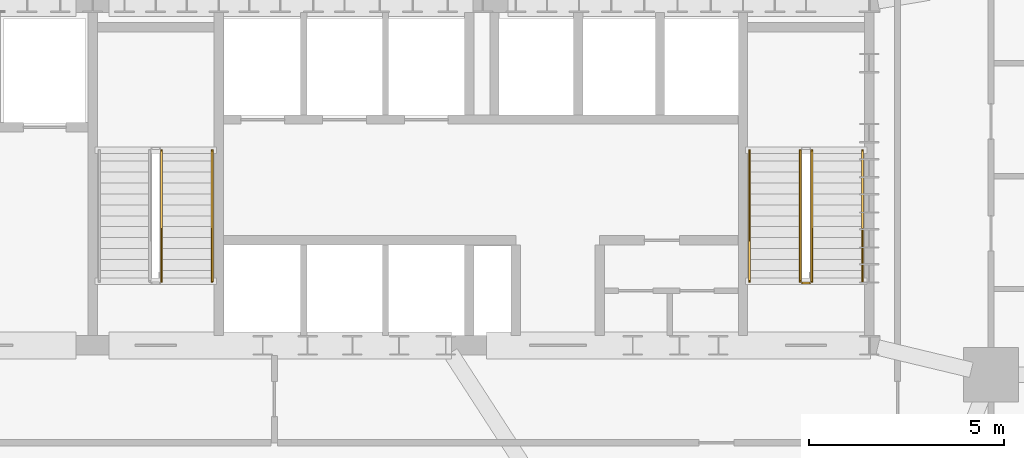
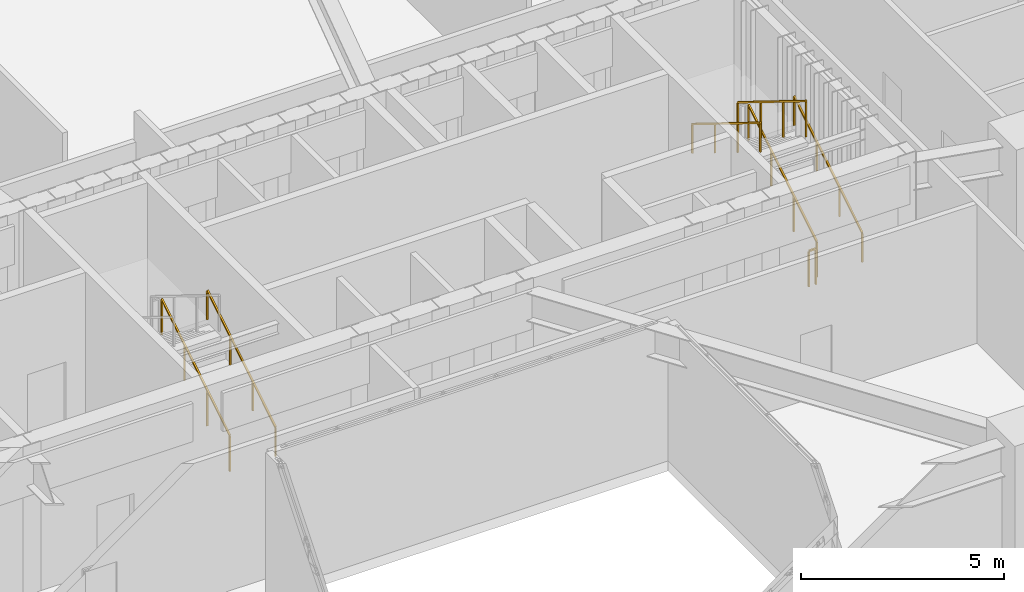
# One storey, part 22 of 25: 7 railings.
"""IFC4 building model written with IfcOpenShell, lengths in metres."""

from ifc_helpers import new_model, si_unit, direction, frame, origin, origin_2d, place, context, subcontext, project, spatial, rectangle, extrude, material, type_object, element, save


model = new_model("IFC4")

# Units and contexts
model_context = context("Model", 3, precision=1e-05, world=origin(), true_north=direction((0.0, 1.0)))
body_context = subcontext(model_context, "Body", "Model", "MODEL_VIEW")
ifc_project = project(units=[si_unit("LENGTHUNIT", "METRE"), si_unit("AREAUNIT", "SQUARE_METRE"), si_unit("VOLUMEUNIT", "CUBIC_METRE"), si_unit("PLANEANGLEUNIT", "RADIAN"), si_unit("MASSUNIT", "GRAM", prefix="KILO")], contexts=[model_context])

# Site, building, storey
site_placement = place(None, origin())
site = spatial("IfcSite", under=ifc_project, at=site_placement, CompositionType="ELEMENT")
building_placement = place(site_placement, origin())
building = spatial("IfcBuilding", under=site, at=building_placement, Name="Haldorwick Loom Tower", CompositionType="ELEMENT")
storey_placement = place(building_placement, frame((0.0, 0.0, 15.0)))
storey = spatial("IfcBuildingStorey", under=building, at=storey_placement, Name="L03", CompositionType="ELEMENT", Elevation=15.0)

# Railings
ifc_material = material(Name="Steel CSA G40.21 350W", Category="steel")
railing_type_1 = type_object("IfcRailingType", Name="ARC-RLG-GUARD112", PredefinedType="GUARDRAIL", material=ifc_material)
railing_1_placement = place(storey_placement, frame((48.60009765625, 28.39990234375, 0.173095703125)))
element("IfcRailing", 1, at=railing_1_placement, inside=storey, type_object=railing_type_1, Name="L03 ST-02 stair guard 1", PredefinedType="GUARDRAIL", context=body_context, shape_type="SweptSolid", body=[
    extrude(rectangle(XDim=0.048095703125, YDim=0.048095703125, at=origin_2d()), frame((0.0, 0.0, 1.076171875), z_axis=(0.0, 0.850623216509, 0.525775754039), x_axis=(-1.0, 0.0, 0.0)), (0.0, 0.0, 1.0), 3.9501953125),
    extrude(rectangle(XDim=0.0419921875, YDim=0.0419921875, at=origin_2d()), origin(), (0.0, 0.0, 1.0), 1.052001953125),
    extrude(rectangle(XDim=0.0419921875, YDim=0.0419921875, at=origin_2d()), frame((0.0, 1.1201171875, 0.6923828125)), (0.0, 0.0, 1.0), 1.052001953125),
    extrude(rectangle(XDim=0.0419921875, YDim=0.0419921875, at=origin_2d()), frame((0.0, 2.239990234375, 1.384521484375)), (0.0, 0.0, 1.0), 1.052001953125),
    extrude(rectangle(XDim=0.0419921875, YDim=0.0419921875, at=origin_2d()), frame((0.0, 3.360107421875, 2.076904296875)), (0.0, 0.0, 1.0), 1.052001953125),
])
railing_2_placement = place(storey_placement, frame((48.300048828125, 31.760009765625, 2.423095703125)))
element("IfcRailing", 2, at=railing_2_placement, inside=storey, type_object=railing_type_1, Name="L03 ST-02 stair guard 3", PredefinedType="GUARDRAIL", context=body_context, shape_type="SweptSolid", body=[
    extrude(rectangle(XDim=0.048095703125, YDim=0.048095703125, at=origin_2d()), frame((0.0, 0.0, 1.076171875), z_axis=(0.0, -0.850623216509, 0.525775754039), x_axis=(1.0, 0.0, 0.0)), (0.0, 0.0, 1.0), 3.9501953125),
    extrude(rectangle(XDim=0.0419921875, YDim=0.0419921875, at=origin_2d()), origin(), (0.0, 0.0, 1.0), 1.052001953125),
    extrude(rectangle(XDim=0.0419921875, YDim=0.0419921875, at=origin_2d()), frame((0.0, -1.1201171875, 0.6923828125)), (0.0, 0.0, 1.0), 1.052001953125),
    extrude(rectangle(XDim=0.0419921875, YDim=0.0419921875, at=origin_2d()), frame((0.0, -2.239990234375, 1.384521484375)), (0.0, 0.0, 1.0), 1.052001953125),
    extrude(rectangle(XDim=0.0419921875, YDim=0.0419921875, at=origin_2d()), frame((0.0, -3.360107421875, 2.076904296875)), (0.0, 0.0, 1.0), 1.052001953125),
])
railing_3_placement = place(storey_placement, frame((48.550048828125, 28.35009765625, 0.0)))
element("IfcRailing", 3, at=railing_3_placement, inside=storey, type_object=railing_type_1, Name="L03 ST-02 stair guard 4", PredefinedType="GUARDRAIL", context=body_context, shape_type="SweptSolid", body=[
    extrude(rectangle(XDim=0.048095703125, YDim=0.048095703125, at=origin_2d()), frame((0.0, 0.0, 1.076171875), z_axis=(-1.0, 0.0, 0.0), x_axis=(0.0, -1.0, 0.0)), (0.0, 0.0, 1.0), 0.199951171875),
    extrude(rectangle(XDim=0.0419921875, YDim=0.0419921875, at=origin_2d()), origin(), (0.0, 0.0, 1.0), 1.052001953125),
    extrude(rectangle(XDim=0.0419921875, YDim=0.0419921875, at=origin_2d()), frame((-0.199951171875, 0.0, 0.0)), (0.0, 0.0, 1.0), 1.052001953125),
])
railing_4_placement = place(storey_placement, frame((31.89990234375, 28.39990234375, 0.173095703125)))
element("IfcRailing", 4, at=railing_4_placement, inside=storey, type_object=railing_type_1, Name="L03 ST-03 stair guard 1", PredefinedType="GUARDRAIL", context=body_context, shape_type="SweptSolid", body=[
    extrude(rectangle(XDim=0.048095703125, YDim=0.048095703125, at=origin_2d()), frame((0.0, 0.0, 1.076171875), z_axis=(0.0, 0.850623216509, 0.525775754039), x_axis=(-1.0, 0.0, 0.0)), (0.0, 0.0, 1.0), 3.9501953125),
    extrude(rectangle(XDim=0.0419921875, YDim=0.0419921875, at=origin_2d()), origin(), (0.0, 0.0, 1.0), 1.052001953125),
    extrude(rectangle(XDim=0.0419921875, YDim=0.0419921875, at=origin_2d()), frame((0.0, 1.1201171875, 0.6923828125)), (0.0, 0.0, 1.0), 1.052001953125),
    extrude(rectangle(XDim=0.0419921875, YDim=0.0419921875, at=origin_2d()), frame((0.0, 2.239990234375, 1.384521484375)), (0.0, 0.0, 1.0), 1.052001953125),
    extrude(rectangle(XDim=0.0419921875, YDim=0.0419921875, at=origin_2d()), frame((0.0, 3.360107421875, 2.076904296875)), (0.0, 0.0, 1.0), 1.052001953125),
])
railing_type_2 = type_object("IfcRailingType", Name="ARC-RLG-HAND092", PredefinedType="HANDRAIL", material=ifc_material)
railing_5_placement = place(storey_placement, frame((49.89990234375, 28.39990234375, 0.173095703125)))
element("IfcRailing", 5, at=railing_5_placement, inside=storey, type_object=railing_type_2, Name="L03 ST-02 stair handrail 1", PredefinedType="HANDRAIL", context=body_context, shape_type="SweptSolid", body=[
    extrude(rectangle(XDim=0.048095703125, YDim=0.048095703125, at=origin_2d()), frame((0.0, 0.0, 0.8759765625), z_axis=(0.0, 0.850623216509, 0.525775754039), x_axis=(-1.0, 0.0, 0.0)), (0.0, 0.0, 1.0), 3.9501953125),
    extrude(rectangle(XDim=0.0419921875, YDim=0.0419921875, at=origin_2d()), origin(), (0.0, 0.0, 1.0), 0.851806640625),
    extrude(rectangle(XDim=0.0419921875, YDim=0.0419921875, at=origin_2d()), frame((0.0, 1.1201171875, 0.6923828125)), (0.0, 0.0, 1.0), 0.851806640625),
    extrude(rectangle(XDim=0.0419921875, YDim=0.0419921875, at=origin_2d()), frame((0.0, 2.239990234375, 1.384521484375)), (0.0, 0.0, 1.0), 0.851806640625),
    extrude(rectangle(XDim=0.0419921875, YDim=0.0419921875, at=origin_2d()), frame((0.0, 3.360107421875, 2.076904296875)), (0.0, 0.0, 1.0), 0.851806640625),
])
railing_6_placement = place(storey_placement, frame((47.0, 31.760009765625, 2.423095703125)))
element("IfcRailing", 6, at=railing_6_placement, inside=storey, type_object=railing_type_2, Name="L03 ST-02 stair handrail 2", PredefinedType="HANDRAIL", context=body_context, shape_type="SweptSolid", body=[
    extrude(rectangle(XDim=0.048095703125, YDim=0.048095703125, at=origin_2d()), frame((0.0, 0.0, 0.8759765625), z_axis=(0.0, -0.850623216509, 0.525775754039), x_axis=(1.0, 0.0, 0.0)), (0.0, 0.0, 1.0), 3.9501953125),
    extrude(rectangle(XDim=0.0419921875, YDim=0.0419921875, at=origin_2d()), origin(), (0.0, 0.0, 1.0), 0.851806640625),
    extrude(rectangle(XDim=0.0419921875, YDim=0.0419921875, at=origin_2d()), frame((0.0, -1.1201171875, 0.6923828125)), (0.0, 0.0, 1.0), 0.851806640625),
    extrude(rectangle(XDim=0.0419921875, YDim=0.0419921875, at=origin_2d()), frame((0.0, -2.239990234375, 1.384521484375)), (0.0, 0.0, 1.0), 0.851806640625),
    extrude(rectangle(XDim=0.0419921875, YDim=0.0419921875, at=origin_2d()), frame((0.0, -3.360107421875, 2.076904296875)), (0.0, 0.0, 1.0), 0.851806640625),
])
railing_7_placement = place(storey_placement, frame((33.199951171875, 28.39990234375, 0.173095703125)))
element("IfcRailing", 7, at=railing_7_placement, inside=storey, type_object=railing_type_2, Name="L03 ST-03 stair handrail 1", PredefinedType="HANDRAIL", context=body_context, shape_type="SweptSolid", body=[
    extrude(rectangle(XDim=0.048095703125, YDim=0.048095703125, at=origin_2d()), frame((0.0, 0.0, 0.8759765625), z_axis=(0.0, 0.850623216509, 0.525775754039), x_axis=(-1.0, 0.0, 0.0)), (0.0, 0.0, 1.0), 3.9501953125),
    extrude(rectangle(XDim=0.0419921875, YDim=0.0419921875, at=origin_2d()), origin(), (0.0, 0.0, 1.0), 0.851806640625),
    extrude(rectangle(XDim=0.0419921875, YDim=0.0419921875, at=origin_2d()), frame((0.0, 1.1201171875, 0.6923828125)), (0.0, 0.0, 1.0), 0.851806640625),
    extrude(rectangle(XDim=0.0419921875, YDim=0.0419921875, at=origin_2d()), frame((0.0, 2.239990234375, 1.384521484375)), (0.0, 0.0, 1.0), 0.851806640625),
    extrude(rectangle(XDim=0.0419921875, YDim=0.0419921875, at=origin_2d()), frame((0.0, 3.360107421875, 2.076904296875)), (0.0, 0.0, 1.0), 0.851806640625),
])

save(model, "model.ifc")
